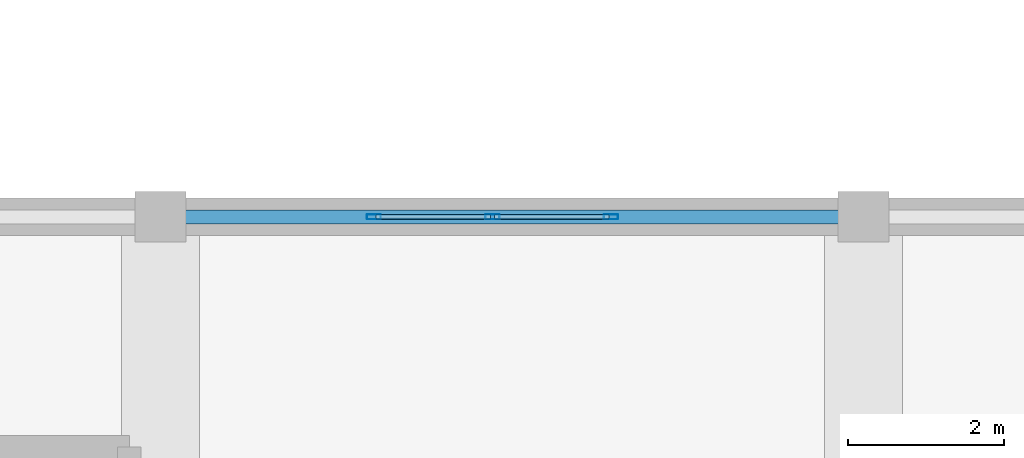
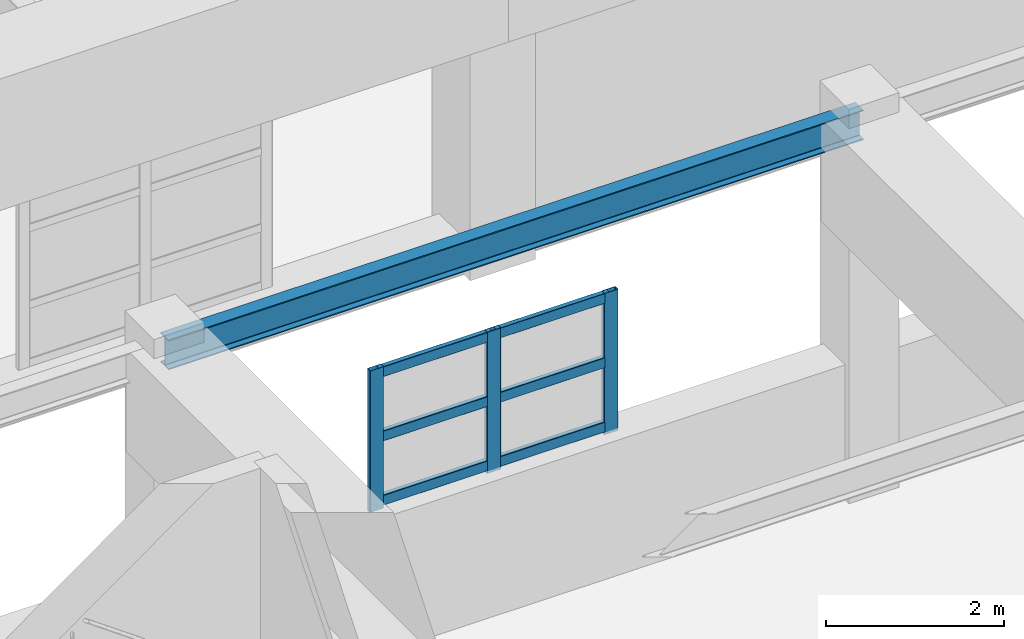
# One storey, part 30 of 197: 9 members, 1 beam, 1 element without a shape of its own.
"""IFC4 building model written with IfcOpenShell, lengths in metres."""

import ifcopenshell
import ifcopenshell.guid

model = None  # the IFC model being written
_history = None  # IfcOwnerHistory: only IFC2X3 demands one
_inside = {}  # id of a spatial element -> (the spatial element, [elements in it])
_under = {}  # id of a project, library or spatial element -> (it, [spatial elements below it])
_declared = {}  # id of a project -> (the project, [libraries it declares])
_typed = {}  # id of a type object -> (the type object, [elements of that type])
_made_of = {}  # id of a material, layer set ... -> (it, [elements and type objects made of it])


def new_model(schema):
    """Start an empty IFC model of exactly this schema.

    Asked for "IFC4X3", IfcOpenShell would pick the latest addendum, in which some entities
    have other attributes; the version numbers below select the first issue.
    IFC2X3 requires an IfcOwnerHistory on every rooted entity: one is made here for all.
    """
    global model, _history
    if schema == "IFC4X3":
        model = ifcopenshell.file(schema_version=(4, 3, 0, 0))
    else:
        model = ifcopenshell.file(schema=schema)
    _inside.clear()
    _under.clear()
    _declared.clear()
    _typed.clear()
    _made_of.clear()
    _history = None
    if model.schema == "IFC2X3":
        org = make("IfcOrganization", Name="unknown")
        user = make(
            "IfcPersonAndOrganization",
            ThePerson=make("IfcPerson", FamilyName="unknown"),
            TheOrganization=org,
        )
        app = make(
            "IfcApplication",
            ApplicationDeveloper=org,
            Version="unknown",
            ApplicationFullName="unknown",
            ApplicationIdentifier="unknown",
        )
        _history = make(
            "IfcOwnerHistory",
            OwningUser=user,
            OwningApplication=app,
            ChangeAction="ADDED",
            CreationDate=0,
        )
    return model


def make(cls, **values):
    """One entity of the class cls with the attributes given. An attribute that is None is left unset."""
    return model.create_entity(
        cls, **{name: value for name, value in values.items() if value is not None}
    )


def rooted(cls, **values):
    """An entity with a GlobalId (a new one), such as an element, a storey or a relation."""
    return make(cls, GlobalId=ifcopenshell.guid.new(), OwnerHistory=_history, **values)


def si_unit(unit_type, name, prefix=None):
    """IfcSIUnit, for example si_unit("LENGTHUNIT", "METRE", prefix="MILLI")."""
    return make("IfcSIUnit", UnitType=unit_type, Prefix=prefix, Name=name)


def derived_unit(unit_type, elements):
    """IfcDerivedUnit: a product of units, each with its exponent."""
    return make(
        "IfcDerivedUnit",
        Elements=[
            make("IfcDerivedUnitElement", Unit=unit, Exponent=power)
            for unit, power in elements
        ],
        UnitType=unit_type,
    )


def assignment(units):
    """IfcUnitAssignment: the units of a project."""
    return None if units is None else make("IfcUnitAssignment", Units=units)


def point(xyz):
    """IfcCartesianPoint."""
    return None if xyz is None else make("IfcCartesianPoint", Coordinates=xyz)


def direction(xyz):
    """IfcDirection."""
    return None if xyz is None else make("IfcDirection", DirectionRatios=xyz)


def frame(location, z_axis=None, x_axis=None):
    """IfcAxis2Placement3D, a coordinate frame: its origin and axes. An axis left out is left unset."""
    return make(
        "IfcAxis2Placement3D",
        Location=point(location),
        Axis=direction(z_axis),
        RefDirection=direction(x_axis),
    )


def frame_2d(location, x_axis=None):
    """IfcAxis2Placement2D, a coordinate frame in the plane: its origin and x axis."""
    return make(
        "IfcAxis2Placement2D", Location=point(location), RefDirection=direction(x_axis)
    )


def origin():
    """The frame at (0, 0, 0) with its axes left unset."""
    return frame((0.0, 0.0, 0.0))


def origin_2d():
    """The frame at (0, 0) in the plane with its x axis left unset."""
    return frame_2d((0.0, 0.0))


def place(relative_to, where):
    """IfcLocalPlacement: puts the frame where relative to a parent placement (None: the world)."""
    return make(
        "IfcLocalPlacement", PlacementRelTo=relative_to, RelativePlacement=where
    )


def context(
    kind, dimensions, precision=None, world=None, true_north=None, identifier=None
):
    """IfcGeometricRepresentationContext, for example the 3D "Model" context."""
    return make(
        "IfcGeometricRepresentationContext",
        ContextIdentifier=identifier,
        ContextType=kind,
        CoordinateSpaceDimension=dimensions,
        Precision=precision,
        WorldCoordinateSystem=world,
        TrueNorth=true_north,
    )


def subcontext(parent, identifier, kind, view, scale=None):
    """IfcGeometricRepresentationSubContext, for example "Body" below "Model"."""
    return make(
        "IfcGeometricRepresentationSubContext",
        ContextIdentifier=identifier,
        ContextType=kind,
        ParentContext=parent,
        TargetScale=scale,
        TargetView=view,
    )


def project(units=None, contexts=None):
    """IfcProject with its units and contexts."""
    return rooted(
        "IfcProject",
        Name="project",
        RepresentationContexts=contexts,
        UnitsInContext=assignment(units),
    )


def spatial(cls, under=None, at=None, **own):
    """A site, building, storey or space (cls), placed at a placement, below another one or the project."""
    s = rooted(cls, ObjectPlacement=at, **own)
    if under is not None:
        _under.setdefault(under.id(), (under, []))[1].append(s)
    return s


def profile(cls, at=None, kind="AREA", **sizes):
    """A parametric profile (cls). Its sizes go by their IFC names, for example OverallWidth=200.0."""
    return make(cls, ProfileType=kind, Position=at, **sizes)


def hollow_rectangle(**sizes):
    """IfcRectangleHollowProfileDef."""
    return profile("IfcRectangleHollowProfileDef", **sizes)


def i_section(**sizes):
    """IfcIShapeProfileDef."""
    return profile("IfcIShapeProfileDef", **sizes)


def extrude(swept, where, along, depth):
    """IfcExtrudedAreaSolid: the profile swept, set in the frame where, extruded along a direction by depth."""
    return make(
        "IfcExtrudedAreaSolid",
        SweptArea=swept,
        Position=where,
        ExtrudedDirection=direction(along),
        Depth=depth,
    )


def shape(context_of_items, identifier, shape_type, items):
    """IfcShapeRepresentation: the items that make up one representation, for example the "Body"."""
    return make(
        "IfcShapeRepresentation",
        ContextOfItems=context_of_items,
        RepresentationIdentifier=identifier,
        RepresentationType=shape_type,
        Items=items,
    )


def material(Name=None, Category=None):
    """IfcMaterial."""
    return make("IfcMaterial", Name=Name, Category=Category)


def layer(
    of_material, thickness, ventilated=None, Name=None, Category=None, Priority=None
):
    """IfcMaterialLayer: one layer of a wall or slab, of a material (None: an air gap)."""
    return make(
        "IfcMaterialLayer",
        Material=of_material,
        LayerThickness=thickness,
        IsVentilated=ventilated,
        Name=Name,
        Category=Category,
        Priority=Priority,
    )


def layer_set(layers, Name=None):
    """IfcMaterialLayerSet."""
    return make("IfcMaterialLayerSet", MaterialLayers=layers, LayerSetName=Name)


def material_profile(
    of_material, cross_section, Name=None, Category=None, Priority=None
):
    """IfcMaterialProfile: a cross section and its material."""
    return make(
        "IfcMaterialProfile",
        Name=Name,
        Material=of_material,
        Profile=cross_section,
        Priority=Priority,
        Category=Category,
    )


def profile_set(profiles, Name=None, composite=None):
    """IfcMaterialProfileSet."""
    return make(
        "IfcMaterialProfileSet",
        Name=Name,
        MaterialProfiles=profiles,
        CompositeProfile=composite,
    )


def made_of(thing, what):
    """Note that an element or type object is made of a material, layer set ...; save() writes the relation."""
    if what is not None:
        _made_of.setdefault(what.id(), (what, []))[1].append(thing)
    return thing


def type_object(cls, material=None, **own):
    """A type object (cls), such as IfcWallType, which elements share."""
    return made_of(rooted(cls, **own), material)


def element(
    cls,
    number,
    at=None,
    inside=None,
    cuts=None,
    type_object=None,
    material=None,
    context=None,
    identifier="Body",
    shape_type=None,
    held_by="IfcProductDefinitionShape",
    body=None,
    shapes=None,
    **own,
):
    """One element of the class cls, such as IfcWall. Its Tag is "e" and its number.

    at: its placement. inside: the storey or other place that contains it. cuts: it is an
    opening in that element (IfcRelVoidsElement). A single representation is given by context,
    identifier, shape_type and body (its items); several are given by shapes. held_by: the class
    of the entity that holds the representations. save() writes the other relations.
    """
    e = rooted(cls, Tag="e%d" % number, ObjectPlacement=at, **own)
    if body is not None:
        shapes = [shape(context, identifier, shape_type, body)]
    if shapes is not None:
        e.Representation = make(held_by, Representations=shapes)
    if inside is not None:
        _inside.setdefault(inside.id(), (inside, []))[1].append(e)
    if cuts is not None:
        rooted(
            "IfcRelVoidsElement", RelatingBuildingElement=cuts, RelatedOpeningElement=e
        )
    if type_object is not None:
        _typed.setdefault(type_object.id(), (type_object, []))[1].append(e)
    return made_of(e, material)


def aggregate(whole, parts):
    """IfcRelAggregates: a whole, such as a stair, and the parts it consists of."""
    return rooted("IfcRelAggregates", RelatingObject=whole, RelatedObjects=parts)


def save(model, path):
    """Write the relations noted so far, then the file.

    IfcRelAggregates (storeys below a building ...), IfcRelContainedInSpatialStructure (elements
    in a storey), IfcRelDefinesByType, IfcRelAssociatesMaterial and IfcRelDeclares: one each for
    every whole, place, type object, material and project.
    """
    for whole, parts in _under.values():
        aggregate(whole, parts)
    for where, things in _inside.values():
        rooted(
            "IfcRelContainedInSpatialStructure",
            RelatedElements=things,
            RelatingStructure=where,
        )
    for kind, things in _typed.values():
        rooted("IfcRelDefinesByType", RelatedObjects=things, RelatingType=kind)
    for what, things in _made_of.values():
        rooted("IfcRelAssociatesMaterial", RelatedObjects=things, RelatingMaterial=what)
    for by, libraries in _declared.values():
        rooted("IfcRelDeclares", RelatingContext=by, RelatedDefinitions=libraries)
    model.write(path)


model = new_model("IFC4")

# Units and contexts
model_context = context("Model", 3, precision=1e-05, world=origin(), true_north=direction((0.0, 1.0)))
body_context = subcontext(model_context, "Body", "Model", "MODEL_VIEW")
ifc_project = project(units=[si_unit("LENGTHUNIT", "METRE"), si_unit("AREAUNIT", "SQUARE_METRE"), si_unit("VOLUMEUNIT", "CUBIC_METRE"), si_unit("PLANEANGLEUNIT", "RADIAN"), si_unit("MASSUNIT", "GRAM", prefix="KILO"), derived_unit("THERMALTRANSMITTANCEUNIT", [(si_unit("POWERUNIT", "WATT"), 1), (si_unit("LENGTHUNIT", "METRE"), -2), (si_unit("THERMODYNAMICTEMPERATUREUNIT", "KELVIN"), -1)])], contexts=[model_context])

# Site, building, storey
site_placement = place(None, origin())
site = spatial("IfcSite", under=ifc_project, at=site_placement, CompositionType="ELEMENT")
building_placement = place(site_placement, origin())
building = spatial("IfcBuilding", under=site, at=building_placement, Name="Almenara Railside Exhibition Hall", CompositionType="ELEMENT")
storey_placement = place(building_placement, frame((0.0, 0.0, 5.39990234375)))
storey = spatial("IfcBuildingStorey", under=building, at=storey_placement, Name="L01", CompositionType="ELEMENT", Elevation=5.39990234375)

# Curtain wall, members
ifc_material_1 = material(Name="Bronze-anodised aluminium and low-E double glazing", Category="aluminium")
ifc_layer = layer(ifc_material_1, 0.179931640625, Name="Bronze-anodised aluminium and low-E double glazing")
ifc_layer_set = layer_set([ifc_layer], Name="Bronze-anodised aluminium and low-E double glazing")
curtain_wall_type = type_object("IfcCurtainWallType", Name="Plenary Clerestory Curtain Wall 3100x1900", PredefinedType="NOTDEFINED", material=ifc_layer_set)
curtain_wall_placement = place(storey_placement, origin())
curtain_wall = element("IfcCurtainWall", 1, at=curtain_wall_placement, inside=storey, type_object=curtain_wall_type, Name="Curtain wall CW-CL6-104", PredefinedType="NOTDEFINED")
ifc_material_2 = material(Name="Bronze-anodised aluminium", Category="aluminium")
ifc_material_profile_1 = material_profile(ifc_material_2, hollow_rectangle(XDim=0.06494140625, YDim=0.179931640625, WallThickness=0.00390625, InnerFilletRadius=0.00390625, OuterFilletRadius=0.008056640625, at=origin_2d()), Name="ALU-MUL 65x180x4")
ifc_profile_set_1 = profile_set([ifc_material_profile_1], Name="Bronze-anodised aluminium")
member_type_1 = type_object("IfcMemberType", Name="Curtain Wall Mullion 65x180x4", PredefinedType="MULLION", material=ifc_profile_set_1)
member_1_placement = place(storey_placement, frame((50.732421875, 42.0, 1.815185546875), z_axis=(0.0, 0.0, 1.0), x_axis=(0.0, 1.0, 0.0)))
member_1 = element("IfcMember", 2, at=member_1_placement, type_object=member_type_1, Name="CW-CL6-104 mullion 1", PredefinedType="MULLION", context=body_context, shape_type="SweptSolid", body=[
    extrude(hollow_rectangle(XDim=0.06494140625, YDim=0.179931640625, WallThickness=0.00390625, InnerFilletRadius=0.00390625, OuterFilletRadius=0.008056640625, at=origin_2d()), origin(), (0.0, 0.0, 1.0), 1.934814453125),
])
member_2_placement = place(storey_placement, frame((52.25, 42.0, 1.815185546875), z_axis=(0.0, 0.0, 1.0), x_axis=(0.0, 1.0, 0.0)))
member_2 = element("IfcMember", 3, at=member_2_placement, type_object=member_type_1, Name="CW-CL6-104 mullion 2", PredefinedType="MULLION", context=body_context, shape_type="SweptSolid", body=[
    extrude(hollow_rectangle(XDim=0.06494140625, YDim=0.179931640625, WallThickness=0.00390625, InnerFilletRadius=0.00390625, OuterFilletRadius=0.008056640625, at=origin_2d()), origin(), (0.0, 0.0, 1.0), 1.934814453125),
])
member_3_placement = place(storey_placement, frame((53.767578125, 42.0, 1.815185546875), z_axis=(0.0, 0.0, 1.0), x_axis=(0.0, 1.0, 0.0)))
member_3 = element("IfcMember", 4, at=member_3_placement, type_object=member_type_1, Name="CW-CL6-104 mullion 3", PredefinedType="MULLION", context=body_context, shape_type="SweptSolid", body=[
    extrude(hollow_rectangle(XDim=0.06494140625, YDim=0.179931640625, WallThickness=0.00390625, InnerFilletRadius=0.00390625, OuterFilletRadius=0.008056640625, at=origin_2d()), origin(), (0.0, 0.0, 1.0), 1.934814453125),
])
ifc_material_profile_2 = material_profile(ifc_material_2, hollow_rectangle(XDim=0.06494140625, YDim=0.139892578125, WallThickness=0.00341796875, InnerFilletRadius=0.00341796875, OuterFilletRadius=0.007080078125, at=origin_2d()), Name="ALU-TRN 65x140x3.5")
ifc_profile_set_2 = profile_set([ifc_material_profile_2], Name="Bronze-anodised aluminium")
member_type_2 = type_object("IfcMemberType", Name="Curtain Wall Transom 65x140x3.5", PredefinedType="USERDEFINED", material=ifc_profile_set_2)
member_4_placement = place(storey_placement, frame((50.757080078125, 42.0, 1.920166015625), z_axis=(1.0, 0.0, 0.0), x_axis=(0.0, 1.0, 0.0)))
member_4 = element("IfcMember", 5, at=member_4_placement, type_object=member_type_2, Name="CW-CL6-104 transom 1.1", ObjectType="TRANSOM", PredefinedType="USERDEFINED", context=body_context, shape_type="SweptSolid", body=[
    extrude(hollow_rectangle(XDim=0.06494140625, YDim=0.139892578125, WallThickness=0.00341796875, InnerFilletRadius=0.00341796875, OuterFilletRadius=0.007080078125, at=origin_2d()), origin(), (0.0, 0.0, 1.0), 1.468505859375),
])
member_5_placement = place(storey_placement, frame((50.757080078125, 42.0, 2.800048828125), z_axis=(1.0, 0.0, 0.0), x_axis=(0.0, 1.0, 0.0)))
member_5 = element("IfcMember", 6, at=member_5_placement, type_object=member_type_2, Name="CW-CL6-104 transom 1.2", ObjectType="TRANSOM", PredefinedType="USERDEFINED", context=body_context, shape_type="SweptSolid", body=[
    extrude(hollow_rectangle(XDim=0.06494140625, YDim=0.139892578125, WallThickness=0.00341796875, InnerFilletRadius=0.00341796875, OuterFilletRadius=0.007080078125, at=origin_2d()), origin(), (0.0, 0.0, 1.0), 1.468505859375),
])
member_6_placement = place(storey_placement, frame((50.757080078125, 42.0, 3.68017578125), z_axis=(1.0, 0.0, 0.0), x_axis=(0.0, 1.0, 0.0)))
member_6 = element("IfcMember", 7, at=member_6_placement, type_object=member_type_2, Name="CW-CL6-104 transom 1.3", ObjectType="TRANSOM", PredefinedType="USERDEFINED", context=body_context, shape_type="SweptSolid", body=[
    extrude(hollow_rectangle(XDim=0.06494140625, YDim=0.139892578125, WallThickness=0.00341796875, InnerFilletRadius=0.00341796875, OuterFilletRadius=0.007080078125, at=origin_2d()), origin(), (0.0, 0.0, 1.0), 1.468505859375),
])
member_7_placement = place(storey_placement, frame((52.2744140625, 42.0, 1.920166015625), z_axis=(1.0, 0.0, 0.0), x_axis=(0.0, 1.0, 0.0)))
member_7 = element("IfcMember", 8, at=member_7_placement, type_object=member_type_2, Name="CW-CL6-104 transom 2.1", ObjectType="TRANSOM", PredefinedType="USERDEFINED", context=body_context, shape_type="SweptSolid", body=[
    extrude(hollow_rectangle(XDim=0.06494140625, YDim=0.139892578125, WallThickness=0.00341796875, InnerFilletRadius=0.00341796875, OuterFilletRadius=0.007080078125, at=origin_2d()), origin(), (0.0, 0.0, 1.0), 1.468505859375),
])
member_8_placement = place(storey_placement, frame((52.2744140625, 42.0, 2.800048828125), z_axis=(1.0, 0.0, 0.0), x_axis=(0.0, 1.0, 0.0)))
member_8 = element("IfcMember", 9, at=member_8_placement, type_object=member_type_2, Name="CW-CL6-104 transom 2.2", ObjectType="TRANSOM", PredefinedType="USERDEFINED", context=body_context, shape_type="SweptSolid", body=[
    extrude(hollow_rectangle(XDim=0.06494140625, YDim=0.139892578125, WallThickness=0.00341796875, InnerFilletRadius=0.00341796875, OuterFilletRadius=0.007080078125, at=origin_2d()), origin(), (0.0, 0.0, 1.0), 1.468505859375),
])
member_9_placement = place(storey_placement, frame((52.2744140625, 42.0, 3.68017578125), z_axis=(1.0, 0.0, 0.0), x_axis=(0.0, 1.0, 0.0)))
member_9 = element("IfcMember", 10, at=member_9_placement, type_object=member_type_2, Name="CW-CL6-104 transom 2.3", ObjectType="TRANSOM", PredefinedType="USERDEFINED", context=body_context, shape_type="SweptSolid", body=[
    extrude(hollow_rectangle(XDim=0.06494140625, YDim=0.139892578125, WallThickness=0.00341796875, InnerFilletRadius=0.00341796875, OuterFilletRadius=0.007080078125, at=origin_2d()), origin(), (0.0, 0.0, 1.0), 1.468505859375),
])
aggregate(curtain_wall, [member_1, member_2, member_3, member_4, member_5, member_6, member_7, member_8, member_9])

# Beam
ifc_material_3 = material(Name="Structural steel S355JR", Category="steel")
ifc_material_profile_3 = material_profile(ifc_material_3, i_section(OverallWidth=0.1787109375, OverallDepth=0.409423828125, WebThickness=0.0087890625, FlangeThickness=0.014404296875, FilletRadius=0.01025390625, at=origin_2d()), Name="UB 406x178x67")
ifc_profile_set_3 = profile_set([ifc_material_profile_3], Name="Structural steel S355JR")
beam_type = type_object("IfcBeamType", Name="Steel Plenary Joist UB 406x178x67 S355JR", PredefinedType="JOIST", material=ifc_profile_set_3)
beam_placement = place(storey_placement, frame((48.0, 42.0, 4.931396484375), z_axis=(1.0, 0.0, 0.0), x_axis=(0.0, 1.0, 0.0)))
element("IfcBeam", 11, at=beam_placement, inside=storey, type_object=beam_type, Name="Beam 0922", PredefinedType="JOIST", context=body_context, shape_type="SweptSolid", body=[
    extrude(i_section(OverallWidth=0.1787109375, OverallDepth=0.409423828125, WebThickness=0.0087890625, FlangeThickness=0.014404296875, FilletRadius=0.01025390625, at=origin_2d()), origin(), (0.0, 0.0, 1.0), 9.0),
])

save(model, "model.ifc")
